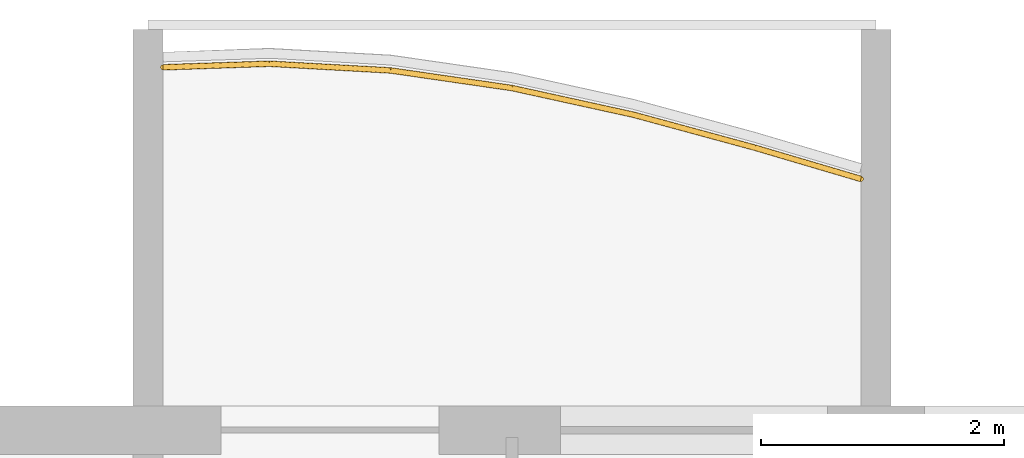
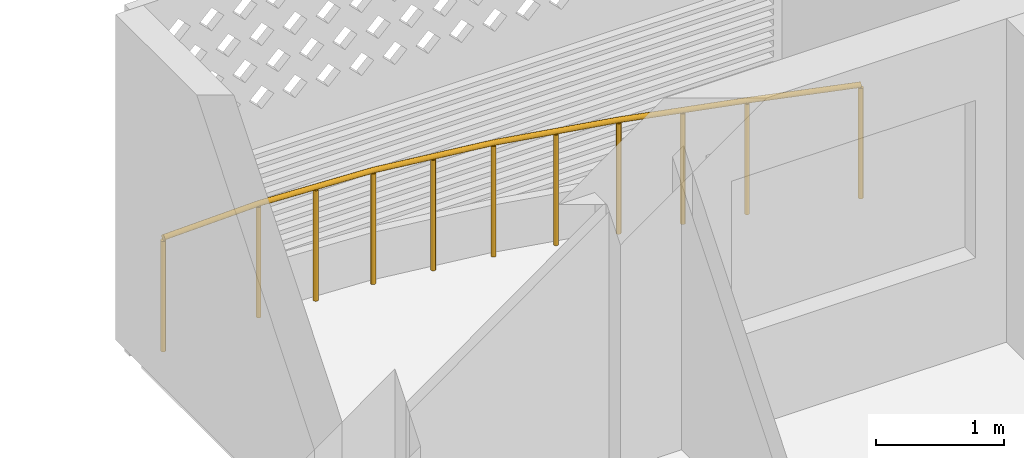
# One storey, part 16 of 29: 1 railing.
"""IFC4 building model written with IfcOpenShell, lengths in metres."""

import ifcopenshell
import ifcopenshell.guid

model = None  # the IFC model being written
_history = None  # IfcOwnerHistory: only IFC2X3 demands one
_inside = {}  # id of a spatial element -> (the spatial element, [elements in it])
_under = {}  # id of a project, library or spatial element -> (it, [spatial elements below it])
_declared = {}  # id of a project -> (the project, [libraries it declares])
_typed = {}  # id of a type object -> (the type object, [elements of that type])
_made_of = {}  # id of a material, layer set ... -> (it, [elements and type objects made of it])


def new_model(schema):
    """Start an empty IFC model of exactly this schema.

    Asked for "IFC4X3", IfcOpenShell would pick the latest addendum, in which some entities
    have other attributes; the version numbers below select the first issue.
    IFC2X3 requires an IfcOwnerHistory on every rooted entity: one is made here for all.
    """
    global model, _history
    if schema == "IFC4X3":
        model = ifcopenshell.file(schema_version=(4, 3, 0, 0))
    else:
        model = ifcopenshell.file(schema=schema)
    _inside.clear()
    _under.clear()
    _declared.clear()
    _typed.clear()
    _made_of.clear()
    _history = None
    if model.schema == "IFC2X3":
        org = make("IfcOrganization", Name="unknown")
        user = make(
            "IfcPersonAndOrganization",
            ThePerson=make("IfcPerson", FamilyName="unknown"),
            TheOrganization=org,
        )
        app = make(
            "IfcApplication",
            ApplicationDeveloper=org,
            Version="unknown",
            ApplicationFullName="unknown",
            ApplicationIdentifier="unknown",
        )
        _history = make(
            "IfcOwnerHistory",
            OwningUser=user,
            OwningApplication=app,
            ChangeAction="ADDED",
            CreationDate=0,
        )
    return model


def make(cls, **values):
    """One entity of the class cls with the attributes given. An attribute that is None is left unset."""
    return model.create_entity(
        cls, **{name: value for name, value in values.items() if value is not None}
    )


def rooted(cls, **values):
    """An entity with a GlobalId (a new one), such as an element, a storey or a relation."""
    return make(cls, GlobalId=ifcopenshell.guid.new(), OwnerHistory=_history, **values)


def si_unit(unit_type, name, prefix=None):
    """IfcSIUnit, for example si_unit("LENGTHUNIT", "METRE", prefix="MILLI")."""
    return make("IfcSIUnit", UnitType=unit_type, Prefix=prefix, Name=name)


def assignment(units):
    """IfcUnitAssignment: the units of a project."""
    return None if units is None else make("IfcUnitAssignment", Units=units)


def point(xyz):
    """IfcCartesianPoint."""
    return None if xyz is None else make("IfcCartesianPoint", Coordinates=xyz)


def direction(xyz):
    """IfcDirection."""
    return None if xyz is None else make("IfcDirection", DirectionRatios=xyz)


def frame(location, z_axis=None, x_axis=None):
    """IfcAxis2Placement3D, a coordinate frame: its origin and axes. An axis left out is left unset."""
    return make(
        "IfcAxis2Placement3D",
        Location=point(location),
        Axis=direction(z_axis),
        RefDirection=direction(x_axis),
    )


def frame_2d(location, x_axis=None):
    """IfcAxis2Placement2D, a coordinate frame in the plane: its origin and x axis."""
    return make(
        "IfcAxis2Placement2D", Location=point(location), RefDirection=direction(x_axis)
    )


def origin():
    """The frame at (0, 0, 0) with its axes left unset."""
    return frame((0.0, 0.0, 0.0))


def origin_2d():
    """The frame at (0, 0) in the plane with its x axis left unset."""
    return frame_2d((0.0, 0.0))


def place(relative_to, where):
    """IfcLocalPlacement: puts the frame where relative to a parent placement (None: the world)."""
    return make(
        "IfcLocalPlacement", PlacementRelTo=relative_to, RelativePlacement=where
    )


def context(
    kind, dimensions, precision=None, world=None, true_north=None, identifier=None
):
    """IfcGeometricRepresentationContext, for example the 3D "Model" context."""
    return make(
        "IfcGeometricRepresentationContext",
        ContextIdentifier=identifier,
        ContextType=kind,
        CoordinateSpaceDimension=dimensions,
        Precision=precision,
        WorldCoordinateSystem=world,
        TrueNorth=true_north,
    )


def subcontext(parent, identifier, kind, view, scale=None):
    """IfcGeometricRepresentationSubContext, for example "Body" below "Model"."""
    return make(
        "IfcGeometricRepresentationSubContext",
        ContextIdentifier=identifier,
        ContextType=kind,
        ParentContext=parent,
        TargetScale=scale,
        TargetView=view,
    )


def project(units=None, contexts=None):
    """IfcProject with its units and contexts."""
    return rooted(
        "IfcProject",
        Name="project",
        RepresentationContexts=contexts,
        UnitsInContext=assignment(units),
    )


def spatial(cls, under=None, at=None, **own):
    """A site, building, storey or space (cls), placed at a placement, below another one or the project."""
    s = rooted(cls, ObjectPlacement=at, **own)
    if under is not None:
        _under.setdefault(under.id(), (under, []))[1].append(s)
    return s


def profile(cls, at=None, kind="AREA", **sizes):
    """A parametric profile (cls). Its sizes go by their IFC names, for example OverallWidth=200.0."""
    return make(cls, ProfileType=kind, Position=at, **sizes)


def circle(**sizes):
    """IfcCircleProfileDef."""
    return profile("IfcCircleProfileDef", **sizes)


def extrude(swept, where, along, depth):
    """IfcExtrudedAreaSolid: the profile swept, set in the frame where, extruded along a direction by depth."""
    return make(
        "IfcExtrudedAreaSolid",
        SweptArea=swept,
        Position=where,
        ExtrudedDirection=direction(along),
        Depth=depth,
    )


def shape(context_of_items, identifier, shape_type, items):
    """IfcShapeRepresentation: the items that make up one representation, for example the "Body"."""
    return make(
        "IfcShapeRepresentation",
        ContextOfItems=context_of_items,
        RepresentationIdentifier=identifier,
        RepresentationType=shape_type,
        Items=items,
    )


def material(Name=None, Category=None):
    """IfcMaterial."""
    return make("IfcMaterial", Name=Name, Category=Category)


def made_of(thing, what):
    """Note that an element or type object is made of a material, layer set ...; save() writes the relation."""
    if what is not None:
        _made_of.setdefault(what.id(), (what, []))[1].append(thing)
    return thing


def type_object(cls, material=None, **own):
    """A type object (cls), such as IfcWallType, which elements share."""
    return made_of(rooted(cls, **own), material)


def element(
    cls,
    number,
    at=None,
    inside=None,
    cuts=None,
    type_object=None,
    material=None,
    context=None,
    identifier="Body",
    shape_type=None,
    held_by="IfcProductDefinitionShape",
    body=None,
    shapes=None,
    **own,
):
    """One element of the class cls, such as IfcWall. Its Tag is "e" and its number.

    at: its placement. inside: the storey or other place that contains it. cuts: it is an
    opening in that element (IfcRelVoidsElement). A single representation is given by context,
    identifier, shape_type and body (its items); several are given by shapes. held_by: the class
    of the entity that holds the representations. save() writes the other relations.
    """
    e = rooted(cls, Tag="e%d" % number, ObjectPlacement=at, **own)
    if body is not None:
        shapes = [shape(context, identifier, shape_type, body)]
    if shapes is not None:
        e.Representation = make(held_by, Representations=shapes)
    if inside is not None:
        _inside.setdefault(inside.id(), (inside, []))[1].append(e)
    if cuts is not None:
        rooted(
            "IfcRelVoidsElement", RelatingBuildingElement=cuts, RelatedOpeningElement=e
        )
    if type_object is not None:
        _typed.setdefault(type_object.id(), (type_object, []))[1].append(e)
    return made_of(e, material)


def aggregate(whole, parts):
    """IfcRelAggregates: a whole, such as a stair, and the parts it consists of."""
    return rooted("IfcRelAggregates", RelatingObject=whole, RelatedObjects=parts)


def save(model, path):
    """Write the relations noted so far, then the file.

    IfcRelAggregates (storeys below a building ...), IfcRelContainedInSpatialStructure (elements
    in a storey), IfcRelDefinesByType, IfcRelAssociatesMaterial and IfcRelDeclares: one each for
    every whole, place, type object, material and project.
    """
    for whole, parts in _under.values():
        aggregate(whole, parts)
    for where, things in _inside.values():
        rooted(
            "IfcRelContainedInSpatialStructure",
            RelatedElements=things,
            RelatingStructure=where,
        )
    for kind, things in _typed.values():
        rooted("IfcRelDefinesByType", RelatedObjects=things, RelatingType=kind)
    for what, things in _made_of.values():
        rooted("IfcRelAssociatesMaterial", RelatedObjects=things, RelatingMaterial=what)
    for by, libraries in _declared.values():
        rooted("IfcRelDeclares", RelatingContext=by, RelatedDefinitions=libraries)
    model.write(path)


model = new_model("IFC4")

# Units and contexts
model_context = context("Model", 3, precision=1e-05, world=origin(), true_north=direction((0.0, 1.0)))
body_context = subcontext(model_context, "Body", "Model", "MODEL_VIEW")
ifc_project = project(units=[si_unit("LENGTHUNIT", "METRE"), si_unit("AREAUNIT", "SQUARE_METRE"), si_unit("VOLUMEUNIT", "CUBIC_METRE"), si_unit("PLANEANGLEUNIT", "RADIAN"), si_unit("MASSUNIT", "GRAM", prefix="KILO")], contexts=[model_context])

# Site, building, storey
site_placement = place(None, origin())
site = spatial("IfcSite", under=ifc_project, at=site_placement, CompositionType="ELEMENT")
building_placement = place(site_placement, origin())
building = spatial("IfcBuilding", under=site, at=building_placement, Name="Poui Terraces", CompositionType="ELEMENT")
storey_placement = place(building_placement, frame((0.0, 0.0, 237.89990234375)))
storey = spatial("IfcBuildingStorey", under=building, at=storey_placement, Name="L66", CompositionType="ELEMENT", Elevation=237.89990234375)

# Railing
ifc_material = material(Name="Painted steel fretwork", Category="steel")
railing_type = type_object("IfcRailingType", Name="BALCONY GUARD 1100", PredefinedType="GUARDRAIL", material=ifc_material)
railing_placement = place(storey_placement, frame((24.125, 44.190185546875, 0.0)))
element("IfcRailing", 1, at=railing_placement, inside=storey, type_object=railing_type, Name="BALCONY GUARD", PredefinedType="GUARDRAIL", context=body_context, shape_type="SweptSolid", body=[
    extrude(circle(Radius=0.02392578125, at=origin_2d()), frame((0.0, 0.0, 1.076171875), z_axis=(0.999430578744, 0.033741936392, 0.0), x_axis=(-0.033741936392, 0.999430578744, 0.0)), (0.0, 0.0, 1.0), 0.87548828125),
    extrude(circle(Radius=0.02392578125, at=origin_2d()), frame((0.875, 0.029541015625, 1.076171875), z_axis=(0.998467844587, -0.055335009942, 0.0), x_axis=(0.055335009942, 0.998467844587, 0.0)), (0.0, 0.0, 1.0), 1.00146484375),
    extrude(circle(Radius=0.02392578125, at=origin_2d()), frame((1.875, -0.02587890625, 1.076171875), z_axis=(0.989647671833, -0.143518241472, 0.0), x_axis=(0.143518241472, 0.989647671833, 0.0)), (0.0, 0.0, 1.0), 1.010498046875),
    extrude(circle(Radius=0.02392578125, at=origin_2d()), frame((2.875, -0.1708984375, 1.076171875), z_axis=(0.97675043296, -0.214379550593, 0.0), x_axis=(0.214379550593, 0.97675043296, 0.0)), (0.0, 0.0, 1.0), 1.023681640625),
    extrude(circle(Radius=0.02392578125, at=origin_2d()), frame((3.875, -0.390380859375, 1.076171875), z_axis=(0.965067658743, -0.262000790167, 0.0), x_axis=(0.262000790167, 0.965067658743, 0.0)), (0.0, 0.0, 1.0), 1.0361328125),
    extrude(circle(Radius=0.02392578125, at=origin_2d()), frame((4.875, -0.661865234375, 1.076171875), z_axis=(0.959156425707, -0.282876211488, 0.0), x_axis=(0.282876211488, 0.959156425707, 0.0)), (0.0, 0.0, 1.0), 0.912353515625),
    extrude(circle(Radius=0.02099609375, at=origin_2d()), origin(), (0.0, 0.0, 1.0), 1.052001953125),
    extrude(circle(Radius=0.02099609375, at=origin_2d()), frame((0.875, 0.029541015625, 0.0)), (0.0, 0.0, 1.0), 1.052001953125),
    extrude(circle(Radius=0.02099609375, at=origin_2d()), frame((1.375, 0.001953125, 0.0)), (0.0, 0.0, 1.0), 1.052001953125),
    extrude(circle(Radius=0.02099609375, at=origin_2d()), frame((1.875, -0.02587890625, 0.0)), (0.0, 0.0, 1.0), 1.052001953125),
    extrude(circle(Radius=0.02099609375, at=origin_2d()), frame((2.375, -0.098388671875, 0.0)), (0.0, 0.0, 1.0), 1.052001953125),
    extrude(circle(Radius=0.02099609375, at=origin_2d()), frame((2.875, -0.1708984375, 0.0)), (0.0, 0.0, 1.0), 1.052001953125),
    extrude(circle(Radius=0.02099609375, at=origin_2d()), frame((3.375, -0.28076171875, 0.0)), (0.0, 0.0, 1.0), 1.052001953125),
    extrude(circle(Radius=0.02099609375, at=origin_2d()), frame((3.875, -0.390380859375, 0.0)), (0.0, 0.0, 1.0), 1.052001953125),
    extrude(circle(Radius=0.02099609375, at=origin_2d()), frame((4.375, -0.526123046875, 0.0)), (0.0, 0.0, 1.0), 1.052001953125),
    extrude(circle(Radius=0.02099609375, at=origin_2d()), frame((4.875, -0.661865234375, 0.0)), (0.0, 0.0, 1.0), 1.052001953125),
    extrude(circle(Radius=0.02099609375, at=origin_2d()), frame((5.75, -0.919921875, 0.0)), (0.0, 0.0, 1.0), 1.052001953125),
])

save(model, "model.ifc")
